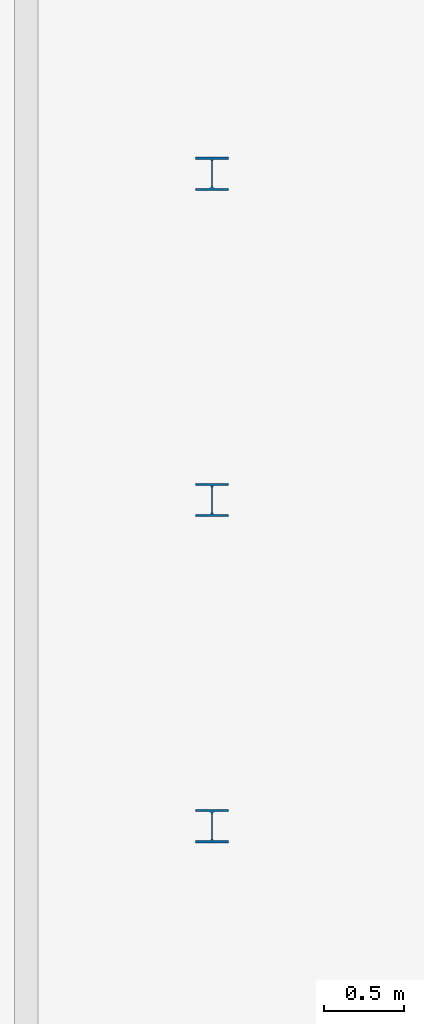
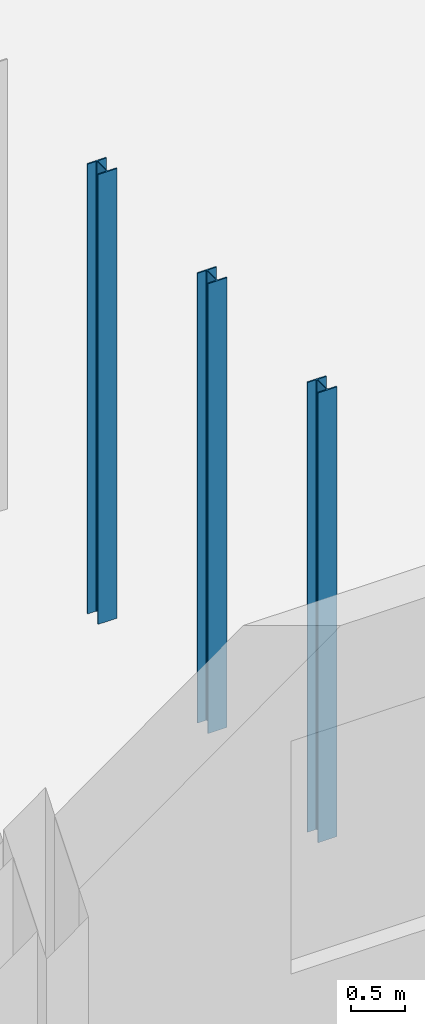
# One storey, part 2 of 103: 3 columns.
"""IFC4 building model written with IfcOpenShell, lengths in metres."""

from ifc_helpers import new_model, si_unit, direction, frame, origin, origin_2d, place, context, subcontext, project, spatial, i_section, extrude, material, material_profile, profile_set, type_object, element, save


model = new_model("IFC4")

# Units and contexts
model_context = context("Model", 3, precision=1e-05, world=origin(), true_north=direction((0.0, 1.0)))
body_context = subcontext(model_context, "Body", "Model", "MODEL_VIEW")
ifc_project = project(units=[si_unit("LENGTHUNIT", "METRE"), si_unit("AREAUNIT", "SQUARE_METRE"), si_unit("VOLUMEUNIT", "CUBIC_METRE"), si_unit("PLANEANGLEUNIT", "RADIAN"), si_unit("MASSUNIT", "GRAM", prefix="KILO")], contexts=[model_context])

# Site, building, storey
site_placement = place(None, origin())
site = spatial("IfcSite", under=ifc_project, at=site_placement, CompositionType="ELEMENT")
building_placement = place(site_placement, origin())
building = spatial("IfcBuilding", under=site, at=building_placement, Name="Marnock Terrace Opera House", CompositionType="ELEMENT")
storey_placement = place(building_placement, origin())
storey = spatial("IfcBuildingStorey", under=building, at=storey_placement, Name="L00", CompositionType="ELEMENT", Elevation=0.0)

# Columns
ifc_material = material(Name="Steel Grade 350 (AS/NZS 3679.1)", Category="steel")
ifc_material_profile = material_profile(ifc_material, i_section(OverallWidth=0.205078125, OverallDepth=0.209716796875, WebThickness=0.00927734375, FlangeThickness=0.01416015625, FilletRadius=0.011474609375, at=origin_2d()))
ifc_profile_set = profile_set([ifc_material_profile], Name="Steel Grade 350 (AS/NZS 3679.1)")
column_type = type_object("IfcColumnType", Name="COL-UC200", PredefinedType="COLUMN", material=ifc_profile_set)
for number, where, z_axis, x_axis, name in (
    (1, (31.5, 10.64990234375, 0.0), (0.0, 0.0, 1.0), (1.0, 0.0, 0.0), "L00 Chamber tier 1 support column E"),
    (2, (31.5, 12.699951171875, 0.0), (0.0, 0.0, 1.0), (1.0, 0.0, 0.0), "L00 Chamber tier 2 support column E"),
    (3, (31.5, 14.75, 0.0), (0.0, 0.0, 1.0), (1.0, 0.0, 0.0), "L00 Chamber tier 3 support column E"),
):
    element("IfcColumn", number, at=place(storey_placement, frame(where, z_axis=z_axis, x_axis=x_axis)), inside=storey, type_object=column_type, Name=name, PredefinedType="COLUMN", context=body_context, shape_type="SweptSolid", body=[
        extrude(i_section(OverallWidth=0.205078125, OverallDepth=0.209716796875, WebThickness=0.00927734375, FlangeThickness=0.01416015625, FilletRadius=0.011474609375, at=origin_2d()), origin(), (0.0, 0.0, 1.0), 5.1201171875),
    ])

save(model, "model.ifc")
